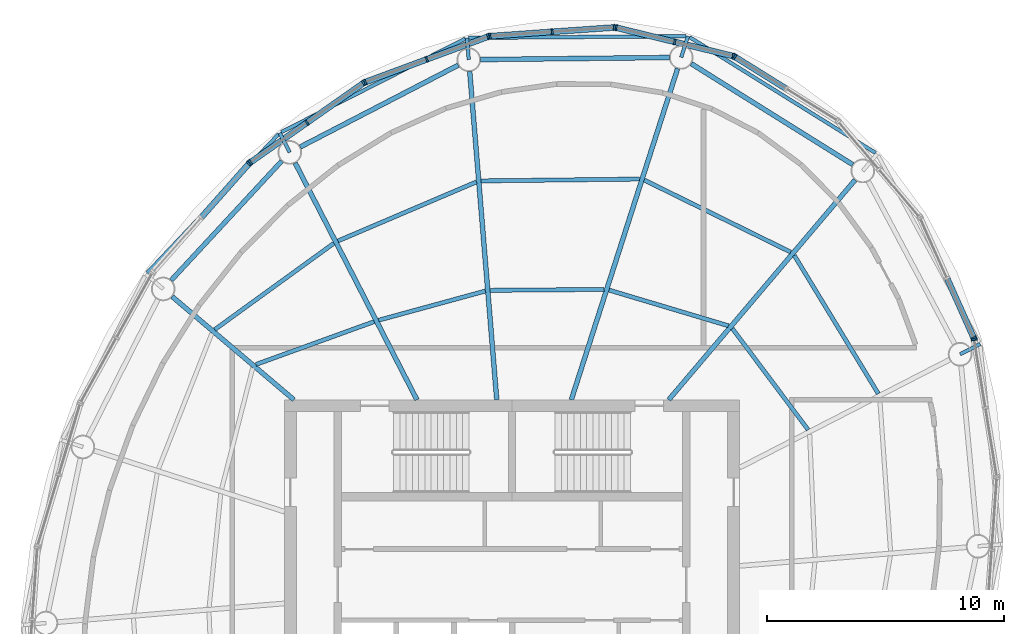
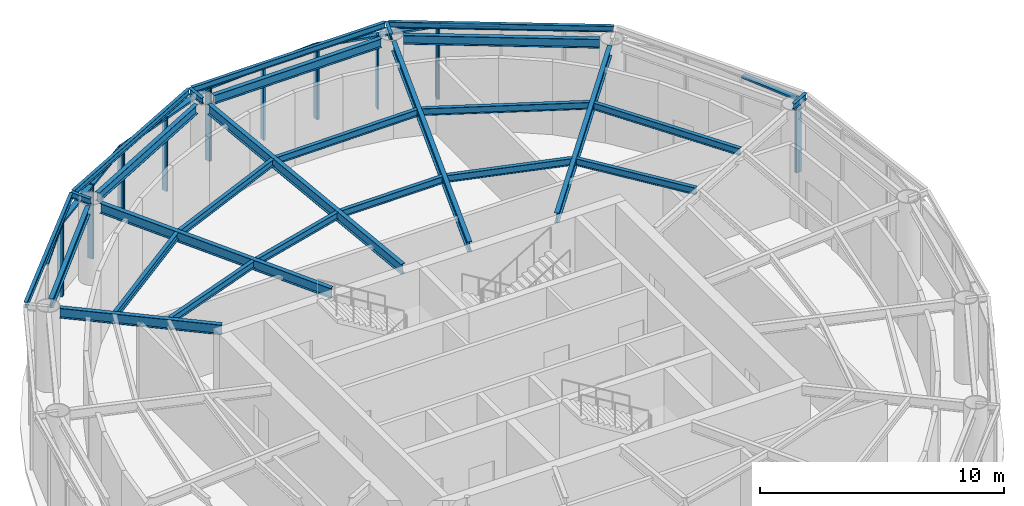
# One storey, part 5 of 11: 27 beams, 27 members, 8 elements without a shape of their own.
"""IFC4 building model written with IfcOpenShell, lengths in metres."""

from ifc_helpers import new_model, si_unit, direction, frame, origin, origin_2d, place, context, subcontext, project, spatial, rectangle, i_section, extrude, material, material_profile, profile_set, type_object, element, aggregate, save


model = new_model("IFC4")

# Units and contexts
model_context = context("Model", 3, precision=1e-05, world=origin(), true_north=direction((0.0, 1.0)))
body_context = subcontext(model_context, "Body", "Model", "MODEL_VIEW")
ifc_project = project(units=[si_unit("LENGTHUNIT", "METRE"), si_unit("AREAUNIT", "SQUARE_METRE"), si_unit("VOLUMEUNIT", "CUBIC_METRE"), si_unit("PLANEANGLEUNIT", "RADIAN"), si_unit("MASSUNIT", "GRAM", prefix="KILO")], contexts=[model_context])

# Site, building, storey
site_placement = place(None, origin())
site = spatial("IfcSite", under=ifc_project, at=site_placement, CompositionType="ELEMENT")
building_placement = place(site_placement, origin())
building = spatial("IfcBuilding", under=site, at=building_placement, Name="Vermilion Reach Broadcast Tower", CompositionType="ELEMENT")
storey_placement = place(building_placement, frame((0.0, 0.0, 317.10009765625)))
storey = spatial("IfcBuildingStorey", under=building, at=storey_placement, Name="L79 CROWN", CompositionType="ELEMENT", Elevation=317.10009765625)

# Curtain wall, members
ifc_material_1 = material(Name="Low-e laminated clear glass in aluminium frame", Category="aluminium")
curtain_wall_type = type_object("IfcCurtainWallType", Name="Crown glazing curtain wall", PredefinedType="NOTDEFINED", material=ifc_material_1)
placement = place(storey_placement, origin())
curtain_wall_1 = element("IfcCurtainWall", 1, at=placement, inside=storey, type_object=curtain_wall_type, Name="Crown glazing L79 CROWN 01", PredefinedType="NOTDEFINED")
ifc_material_2 = material(Name="Anodised aluminium", Category="aluminium")
ifc_material_profile_1 = material_profile(ifc_material_2, rectangle(XDim=0.25, YDim=0.080078125, at=origin_2d()), Name="Crown glazing mullion 80 x 250")
ifc_profile_set_1 = profile_set([ifc_material_profile_1], Name="Anodised aluminium")
member_type_1 = type_object("IfcMemberType", Name="Crown glazing mullion 80 x 250", PredefinedType="MULLION", material=ifc_profile_set_1)
member_1_placement = place(storey_placement, frame((3.331298828125, 22.300048828125, 0.0), z_axis=(0.0, 0.0, 1.0), x_axis=(-0.236354420386, -0.971666912045, 0.0)))
member_1 = element("IfcMember", 2, at=member_1_placement, type_object=member_type_1, Name="Crown glazing mullion L79 CROWN 01.1", PredefinedType="MULLION", context=body_context, shape_type="SweptSolid", body=[
    extrude(rectangle(XDim=0.25, YDim=0.080078125, at=origin_2d()), origin(), (0.0, 0.0, 1.0), 3.699951171875),
])
member_2_placement = place(storey_placement, frame((0.861328125, 22.90087890625, 0.0), z_axis=(0.0, 0.0, 1.0), x_axis=(-0.236354420386, -0.971666912045, 0.0)))
member_2 = element("IfcMember", 3, at=member_2_placement, type_object=member_type_1, Name="Crown glazing mullion L79 CROWN 01.2", PredefinedType="MULLION", context=body_context, shape_type="SweptSolid", body=[
    extrude(rectangle(XDim=0.25, YDim=0.080078125, at=origin_2d()), origin(), (0.0, 0.0, 1.0), 3.699951171875),
])
member_3_placement = place(storey_placement, frame((-1.60888671875, 23.501708984375, 0.0), z_axis=(0.0, 0.0, 1.0), x_axis=(-0.236354420386, -0.971666912045, 0.0)))
member_3 = element("IfcMember", 4, at=member_3_placement, type_object=member_type_1, Name="Crown glazing mullion L79 CROWN 01.3", PredefinedType="MULLION", context=body_context, shape_type="SweptSolid", body=[
    extrude(rectangle(XDim=0.25, YDim=0.080078125, at=origin_2d()), origin(), (0.0, 0.0, 1.0), 3.699951171875),
])

curtain_wall_2 = element("IfcCurtainWall", 5, at=placement, inside=storey, type_object=curtain_wall_type, Name="Crown glazing L79 CROWN 02", PredefinedType="NOTDEFINED")
member_4_placement = place(storey_placement, frame((-1.6875, 23.50830078125, 0.0), z_axis=(0.0, 0.0, 1.0), x_axis=(0.070082236977, -0.997541217224, 0.0)))
member_4 = element("IfcMember", 6, at=member_4_placement, type_object=member_type_1, Name="Crown glazing mullion L79 CROWN 02.1", PredefinedType="MULLION", context=body_context, shape_type="SweptSolid", body=[
    extrude(rectangle(XDim=0.25, YDim=0.080078125, at=origin_2d()), origin(), (0.0, 0.0, 1.0), 3.699951171875),
])
member_5_placement = place(storey_placement, frame((-4.30712890625, 23.324462890625, 0.0), z_axis=(0.0, 0.0, 1.0), x_axis=(0.070082236977, -0.997541217224, 0.0)))
member_5 = element("IfcMember", 7, at=member_5_placement, type_object=member_type_1, Name="Crown glazing mullion L79 CROWN 02.2", PredefinedType="MULLION", context=body_context, shape_type="SweptSolid", body=[
    extrude(rectangle(XDim=0.25, YDim=0.080078125, at=origin_2d()), origin(), (0.0, 0.0, 1.0), 3.699951171875),
])
member_6_placement = place(storey_placement, frame((-6.9267578125, 23.140380859375, 0.0), z_axis=(0.0, 0.0, 1.0), x_axis=(0.070082236977, -0.997541217224, 0.0)))
member_6 = element("IfcMember", 8, at=member_6_placement, type_object=member_type_1, Name="Crown glazing mullion L79 CROWN 02.3", PredefinedType="MULLION", context=body_context, shape_type="SweptSolid", body=[
    extrude(rectangle(XDim=0.25, YDim=0.080078125, at=origin_2d()), origin(), (0.0, 0.0, 1.0), 3.699951171875),
])

curtain_wall_3 = element("IfcCurtainWall", 9, at=placement, inside=storey, type_object=curtain_wall_type, Name="Crown glazing L79 CROWN 03", PredefinedType="NOTDEFINED")
member_7_placement = place(storey_placement, frame((-7.004150390625, 23.12353515625, 0.0), z_axis=(0.0, 0.0, 1.0), x_axis=(0.347291008771, -0.93775740745, 0.0)))
member_7 = element("IfcMember", 10, at=member_7_placement, type_object=member_type_1, Name="Crown glazing mullion L79 CROWN 03.1", PredefinedType="MULLION", context=body_context, shape_type="SweptSolid", body=[
    extrude(rectangle(XDim=0.25, YDim=0.080078125, at=origin_2d()), origin(), (0.0, 0.0, 1.0), 3.699951171875),
])
member_8_placement = place(storey_placement, frame((-9.597412109375, 22.163330078125, 0.0), z_axis=(0.0, 0.0, 1.0), x_axis=(0.347291008771, -0.93775740745, 0.0)))
member_8 = element("IfcMember", 11, at=member_8_placement, type_object=member_type_1, Name="Crown glazing mullion L79 CROWN 03.2", PredefinedType="MULLION", context=body_context, shape_type="SweptSolid", body=[
    extrude(rectangle(XDim=0.25, YDim=0.080078125, at=origin_2d()), origin(), (0.0, 0.0, 1.0), 3.699951171875),
])
member_9_placement = place(storey_placement, frame((-12.190673828125, 21.202880859375, 0.0), z_axis=(0.0, 0.0, 1.0), x_axis=(0.347291008771, -0.93775740745, 0.0)))
member_9 = element("IfcMember", 12, at=member_9_placement, type_object=member_type_1, Name="Crown glazing mullion L79 CROWN 03.3", PredefinedType="MULLION", context=body_context, shape_type="SweptSolid", body=[
    extrude(rectangle(XDim=0.25, YDim=0.080078125, at=origin_2d()), origin(), (0.0, 0.0, 1.0), 3.699951171875),
])

curtain_wall_4 = element("IfcCurtainWall", 13, at=placement, inside=storey, type_object=curtain_wall_type, Name="Crown glazing L79 CROWN 04", PredefinedType="NOTDEFINED")
member_10_placement = place(storey_placement, frame((-12.2607421875, 21.166015625, 0.0), z_axis=(0.0, 0.0, 1.0), x_axis=(0.574163969023, -0.818740335317, 0.0)))
member_10 = element("IfcMember", 14, at=member_10_placement, type_object=member_type_1, Name="Crown glazing mullion L79 CROWN 04.1", PredefinedType="MULLION", context=body_context, shape_type="SweptSolid", body=[
    extrude(rectangle(XDim=0.25, YDim=0.080078125, at=origin_2d()), origin(), (0.0, 0.0, 1.0), 3.699951171875),
])
member_11_placement = place(storey_placement, frame((-14.64990234375, 19.49072265625, 0.0), z_axis=(0.0, 0.0, 1.0), x_axis=(0.574163969023, -0.818740335317, 0.0)))
member_11 = element("IfcMember", 15, at=member_11_placement, type_object=member_type_1, Name="Crown glazing mullion L79 CROWN 04.2", PredefinedType="MULLION", context=body_context, shape_type="SweptSolid", body=[
    extrude(rectangle(XDim=0.25, YDim=0.080078125, at=origin_2d()), origin(), (0.0, 0.0, 1.0), 3.699951171875),
])
member_12_placement = place(storey_placement, frame((-17.038818359375, 17.8154296875, 0.0), z_axis=(0.0, 0.0, 1.0), x_axis=(0.574163969023, -0.818740335317, 0.0)))
member_12 = element("IfcMember", 16, at=member_12_placement, type_object=member_type_1, Name="Crown glazing mullion L79 CROWN 04.3", PredefinedType="MULLION", context=body_context, shape_type="SweptSolid", body=[
    extrude(rectangle(XDim=0.25, YDim=0.080078125, at=origin_2d()), origin(), (0.0, 0.0, 1.0), 3.699951171875),
])

# Curtain wall, member
curtain_wall_5 = element("IfcCurtainWall", 17, at=placement, inside=storey, type_object=curtain_wall_type, Name="Crown glazing L79 CROWN 05", PredefinedType="NOTDEFINED")
member_13_placement = place(storey_placement, frame((-17.09814453125, 17.762451171875, 0.0), z_axis=(0.0, 0.0, 1.0), x_axis=(0.748407682668, -0.663238976934, 0.0)))
member_13 = element("IfcMember", 18, at=member_13_placement, type_object=member_type_1, Name="Crown glazing mullion L79 CROWN 05.1", PredefinedType="MULLION", context=body_context, shape_type="SweptSolid", body=[
    extrude(rectangle(XDim=0.25, YDim=0.080078125, at=origin_2d()), origin(), (0.0, 0.0, 1.0), 3.699951171875),
])

curtain_wall_6 = element("IfcCurtainWall", 19, at=placement, inside=storey, type_object=curtain_wall_type, Name="Crown glazing L79 CROWN 21", PredefinedType="NOTDEFINED")
member_14_placement = place(storey_placement, frame((13.5029296875, 10.3359375, 0.0), z_axis=(0.0, 0.0, 1.0), x_axis=(-0.986689101121, -0.162618011697, 0.0)))
member_14 = element("IfcMember", 20, at=member_14_placement, type_object=member_type_1, Name="Crown glazing mullion L79 CROWN 21.3", PredefinedType="MULLION", context=body_context, shape_type="SweptSolid", body=[
    extrude(rectangle(XDim=0.25, YDim=0.080078125, at=origin_2d()), origin(), (0.0, 0.0, 1.0), 3.699951171875),
])
aggregate(curtain_wall_6, [member_14])

curtain_wall_7 = element("IfcCurtainWall", 21, at=placement, inside=storey, type_object=curtain_wall_type, Name="Crown glazing L79 CROWN 22", PredefinedType="NOTDEFINED")
member_15_placement = place(storey_placement, frame((13.480224609375, 10.411865234375, 0.0), z_axis=(0.0, 0.0, 1.0), x_axis=(-0.912988806241, -0.407984607158, 0.0)))
member_15 = element("IfcMember", 22, at=member_15_placement, type_object=member_type_1, Name="Crown glazing mullion L79 CROWN 22.1", PredefinedType="MULLION", context=body_context, shape_type="SweptSolid", body=[
    extrude(rectangle(XDim=0.25, YDim=0.080078125, at=origin_2d()), origin(), (0.0, 0.0, 1.0), 3.699951171875),
])

curtain_wall_8 = element("IfcCurtainWall", 23, at=placement, inside=storey, type_object=curtain_wall_type, Name="Crown glazing L79 CROWN 24", PredefinedType="NOTDEFINED")
member_16_placement = place(storey_placement, frame((3.404052734375, 22.26953125, 0.0), z_axis=(0.0, 0.0, 1.0), x_axis=(-0.52886102859, -0.848708437827, 0.0)))
member_16 = element("IfcMember", 24, at=member_16_placement, type_object=member_type_1, Name="Crown glazing mullion L79 CROWN 24.3", PredefinedType="MULLION", context=body_context, shape_type="SweptSolid", body=[
    extrude(rectangle(XDim=0.25, YDim=0.080078125, at=origin_2d()), origin(), (0.0, 0.0, 1.0), 3.699951171875),
])

# Member
ifc_material_3 = material(Name="Anodised aluminium", Category="aluminium")
ifc_material_profile_2 = material_profile(ifc_material_3, rectangle(XDim=0.25, YDim=0.10009765625, at=origin_2d()), Name="Crown glazing transom 250 x 100")
ifc_profile_set_2 = profile_set([ifc_material_profile_2], Name="Anodised aluminium")
member_type_2 = type_object("IfcMemberType", Name="Crown glazing transom 250 x 100", PredefinedType="USERDEFINED", material=ifc_profile_set_2)
member_17_placement = place(storey_placement, frame((3.29248046875, 22.3095703125, 3.64990234375), z_axis=(-0.971679911502, 0.236300972457, 0.0), x_axis=(-0.236300972457, -0.971679911502, 0.0)))
member_17 = element("IfcMember", 25, at=member_17_placement, type_object=member_type_2, Name="Crown glazing transom L79 CROWN 01.1.2", ObjectType="TRANSOM", PredefinedType="USERDEFINED", context=body_context, shape_type="SweptSolid", body=[
    extrude(rectangle(XDim=0.25, YDim=0.10009765625, at=origin_2d()), origin(), (0.0, 0.0, 1.0), 2.462158203125),
])

member_18_placement = place(storey_placement, frame((0.822265625, 22.910400390625, 3.64990234375), z_axis=(-0.971674373727, 0.236323742865, 0.0), x_axis=(-0.236323742865, -0.971674373727, 0.0)))
member_18 = element("IfcMember", 26, at=member_18_placement, type_object=member_type_2, Name="Crown glazing transom L79 CROWN 01.2.2", ObjectType="TRANSOM", PredefinedType="USERDEFINED", context=body_context, shape_type="SweptSolid", body=[
    extrude(rectangle(XDim=0.25, YDim=0.10009765625, at=origin_2d()), origin(), (0.0, 0.0, 1.0), 2.4619140625),
])

aggregate(curtain_wall_1, [member_1, member_2, member_3, member_17, member_18])

member_19_placement = place(storey_placement, frame((-1.7275390625, 23.505615234375, 3.64990234375), z_axis=(-0.997539824471, -0.07010205842, 0.0), x_axis=(0.07010205842, -0.997539824471, 0.0)))
member_19 = element("IfcMember", 27, at=member_19_placement, type_object=member_type_2, Name="Crown glazing transom L79 CROWN 02.1.2", ObjectType="TRANSOM", PredefinedType="USERDEFINED", context=body_context, shape_type="SweptSolid", body=[
    extrude(rectangle(XDim=0.25, YDim=0.10009765625, at=origin_2d()), origin(), (0.0, 0.0, 1.0), 2.5458984375),
])

member_20_placement = place(storey_placement, frame((-4.346923828125, 23.321533203125, 3.64990234375), z_axis=(-0.997540295679, -0.070095352893, 0.0), x_axis=(0.070095352893, -0.997540295679, 0.0)))
member_20 = element("IfcMember", 28, at=member_20_placement, type_object=member_type_2, Name="Crown glazing transom L79 CROWN 02.2.2", ObjectType="TRANSOM", PredefinedType="USERDEFINED", context=body_context, shape_type="SweptSolid", body=[
    extrude(rectangle(XDim=0.25, YDim=0.10009765625, at=origin_2d()), origin(), (0.0, 0.0, 1.0), 2.546142578125),
])

aggregate(curtain_wall_2, [member_4, member_5, member_6, member_19, member_20])

member_21_placement = place(storey_placement, frame((-7.04150390625, 23.109619140625, 3.64990234375), z_axis=(-0.937789331633, -0.347204794717, 0.0), x_axis=(0.347204794717, -0.937789331633, 0.0)))
member_21 = element("IfcMember", 29, at=member_21_placement, type_object=member_type_2, Name="Crown glazing transom L79 CROWN 03.1.2", ObjectType="TRANSOM", PredefinedType="USERDEFINED", context=body_context, shape_type="SweptSolid", body=[
    extrude(rectangle(XDim=0.25, YDim=0.10009765625, at=origin_2d()), origin(), (0.0, 0.0, 1.0), 2.685302734375),
])

member_22_placement = place(storey_placement, frame((-9.634765625, 22.1494140625, 3.64990234375), z_axis=(-0.93775972675, -0.347284746116, 0.0), x_axis=(0.347284746116, -0.93775972675, 0.0)))
member_22 = element("IfcMember", 30, at=member_22_placement, type_object=member_type_2, Name="Crown glazing transom L79 CROWN 03.2.2", ObjectType="TRANSOM", PredefinedType="USERDEFINED", context=body_context, shape_type="SweptSolid", body=[
    extrude(rectangle(XDim=0.25, YDim=0.10009765625, at=origin_2d()), origin(), (0.0, 0.0, 1.0), 2.685546875),
])

aggregate(curtain_wall_3, [member_7, member_8, member_9, member_21, member_22])

member_23_placement = place(storey_placement, frame((-12.293701171875, 21.14306640625, 3.64990234375), z_axis=(-0.818742582552, -0.574160764522, 0.0), x_axis=(0.574160764522, -0.818742582552, 0.0)))
member_23 = element("IfcMember", 31, at=member_23_placement, type_object=member_type_2, Name="Crown glazing transom L79 CROWN 04.1.2", ObjectType="TRANSOM", PredefinedType="USERDEFINED", context=body_context, shape_type="SweptSolid", body=[
    extrude(rectangle(XDim=0.25, YDim=0.10009765625, at=origin_2d()), origin(), (0.0, 0.0, 1.0), 2.837890625),
])

member_24_placement = place(storey_placement, frame((-14.6826171875, 19.4677734375, 3.64990234375), z_axis=(-0.818742582552, -0.574160764522, 0.0), x_axis=(0.574160764522, -0.818742582552, 0.0)))
member_24 = element("IfcMember", 32, at=member_24_placement, type_object=member_type_2, Name="Crown glazing transom L79 CROWN 04.2.2", ObjectType="TRANSOM", PredefinedType="USERDEFINED", context=body_context, shape_type="SweptSolid", body=[
    extrude(rectangle(XDim=0.25, YDim=0.10009765625, at=origin_2d()), origin(), (0.0, 0.0, 1.0), 2.837890625),
])

aggregate(curtain_wall_4, [member_10, member_11, member_12, member_23, member_24])

member_25_placement = place(storey_placement, frame((-17.12451171875, 17.732421875, 3.64990234375), z_axis=(-0.663279205809, -0.748372029903, 0.0), x_axis=(0.748372029903, -0.663279205809, 0.0)))
member_25 = element("IfcMember", 33, at=member_25_placement, type_object=member_type_2, Name="Crown glazing transom L79 CROWN 05.1.2", ObjectType="TRANSOM", PredefinedType="USERDEFINED", context=body_context, shape_type="SweptSolid", body=[
    extrude(rectangle(XDim=0.25, YDim=0.10009765625, at=origin_2d()), origin(), (0.0, 0.0, 1.0), 2.9638671875),
])

aggregate(curtain_wall_5, [member_13, member_25])

member_26_placement = place(storey_placement, frame((13.4638671875, 10.4482421875, 3.64990234375), z_axis=(-0.407993268167, 0.912984935873, 0.0), x_axis=(-0.912984935873, -0.407993268167, 0.0)))
member_26 = element("IfcMember", 34, at=member_26_placement, type_object=member_type_2, Name="Crown glazing transom L79 CROWN 22.1.2", ObjectType="TRANSOM", PredefinedType="USERDEFINED", context=body_context, shape_type="SweptSolid", body=[
    extrude(rectangle(XDim=0.25, YDim=0.10009765625, at=origin_2d()), origin(), (0.0, 0.0, 1.0), 2.685546875),
])

aggregate(curtain_wall_7, [member_15, member_26])

member_27_placement = place(storey_placement, frame((5.527587890625, 20.9462890625, 3.64990234375), z_axis=(-0.848727287614, 0.528830777526, 0.0), x_axis=(-0.528830777526, -0.848727287614, 0.0)))
member_27 = element("IfcMember", 35, at=member_27_placement, type_object=member_type_2, Name="Crown glazing transom L79 CROWN 24.2.2", ObjectType="TRANSOM", PredefinedType="USERDEFINED", context=body_context, shape_type="SweptSolid", body=[
    extrude(rectangle(XDim=0.25, YDim=0.10009765625, at=origin_2d()), origin(), (0.0, 0.0, 1.0), 2.462158203125),
])

aggregate(curtain_wall_8, [member_16, member_27])

# Beams
ifc_material_4 = material(Name="Steel S355J2", Category="steel")
ifc_material_profile_3 = material_profile(ifc_material_4, i_section(OverallWidth=0.14990234375, OverallDepth=0.300048828125, WebThickness=0.006591796875, FlangeThickness=0.009033203125, at=origin_2d()), Name="S355J2 HN 300x150x6.5x9")
ifc_profile_set_3 = profile_set([ifc_material_profile_3], Name="Steel S355J2")
beam_type_1 = type_object("IfcBeamType", Name="EB5 HN 300x150x6.5x9", PredefinedType="BEAM", material=ifc_profile_set_3)
beam_1_placement = place(storey_placement, frame((1.346435546875, 23.140380859375, 3.849853515625), z_axis=(-0.999971629622, -0.007532592595, 0.0), x_axis=(0.007532592595, -0.999971629622, 0.0)))
element("IfcBeam", 36, at=beam_1_placement, inside=storey, type_object=beam_type_1, Name="Edge beam EB5-01", PredefinedType="BEAM", context=body_context, shape_type="SweptSolid", body=[
    extrude(i_section(OverallWidth=0.14990234375, OverallDepth=0.300048828125, WebThickness=0.006591796875, FlangeThickness=0.009033203125, at=origin_2d()), origin(), (0.0, 0.0, 1.0), 9.17236328125),
])
beam_2_placement = place(storey_placement, frame((-7.97314453125, 23.033935546875, 3.849853515625), z_axis=(-0.891604217889, -0.452815545936, 0.0), x_axis=(0.452815545936, -0.891604217889, 0.0)))
element("IfcBeam", 37, at=beam_2_placement, inside=storey, type_object=beam_type_1, Name="Edge beam EB5-02", PredefinedType="BEAM", context=body_context, shape_type="SweptSolid", body=[
    extrude(i_section(OverallWidth=0.14990234375, OverallDepth=0.300048828125, WebThickness=0.006591796875, FlangeThickness=0.009033203125, at=origin_2d()), origin(), (0.0, 0.0, 1.0), 8.70263671875),
])
beam_3_placement = place(storey_placement, frame((-15.85400390625, 19.001708984375, 3.849853515625), z_axis=(-0.687701793008, -0.725993280888, 0.0), x_axis=(0.725993280888, -0.687701793008, 0.0)))
element("IfcBeam", 38, at=beam_3_placement, inside=storey, type_object=beam_type_1, Name="Edge beam EB5-03", PredefinedType="BEAM", context=body_context, shape_type="SweptSolid", body=[
    extrude(i_section(OverallWidth=0.14990234375, OverallDepth=0.300048828125, WebThickness=0.006591796875, FlangeThickness=0.009033203125, at=origin_2d()), origin(), (0.0, 0.0, 1.0), 8.05908203125),
])
beam_4_placement = place(storey_placement, frame((9.341552734375, 18.212646484375, 3.849853515625), z_axis=(-0.848928421209, 0.528507838791, 0.0), x_axis=(-0.528507838791, -0.848928421209, 0.0)))
element("IfcBeam", 39, at=beam_4_placement, inside=storey, type_object=beam_type_1, Name="Edge beam EB5-16", PredefinedType="BEAM", context=body_context, shape_type="SweptSolid", body=[
    extrude(i_section(OverallWidth=0.14990234375, OverallDepth=0.300048828125, WebThickness=0.006591796875, FlangeThickness=0.009033203125, at=origin_2d()), origin(), (0.0, 0.0, 1.0), 9.24755859375),
])
ifc_material_5 = material(Name="Steel S355J2", Category="steel")
ifc_material_profile_4 = material_profile(ifc_material_5, i_section(OverallWidth=0.199951171875, OverallDepth=0.5, WebThickness=0.010009765625, FlangeThickness=0.01611328125, at=origin_2d()), Name="S355J2 HN 500x200x10x16")
ifc_profile_set_4 = profile_set([ifc_material_profile_4], Name="Steel S355J2")
beam_type_2 = type_object("IfcBeamType", Name="G5 HN 500x200x10x16", PredefinedType="BEAM", material=ifc_profile_set_4)
beam_5_placement = place(storey_placement, frame((-3.497314453125, 7.800048828125, 3.75), z_axis=(0.305545401295, 0.952177508528, 0.0), x_axis=(-0.952177508528, 0.305545401295, 0.0)))
element("IfcBeam", 40, at=beam_5_placement, inside=storey, type_object=beam_type_2, Name="Girder G5-01", PredefinedType="BEAM", context=body_context, shape_type="SweptSolid", body=[
    extrude(i_section(OverallWidth=0.199951171875, OverallDepth=0.5, WebThickness=0.010009765625, FlangeThickness=0.01611328125, at=origin_2d()), origin(), (0.0, 0.0, 1.0), 14.672607421875),
])
beam_6_placement = place(storey_placement, frame((-6.642578125, 7.800048828125, 3.75), z_axis=(-0.082123744247, 0.996622140347, 0.0), x_axis=(-0.996622140347, -0.082123744247, 0.0)))
element("IfcBeam", 41, at=beam_6_placement, inside=storey, type_object=beam_type_2, Name="Girder G5-02", PredefinedType="BEAM", context=body_context, shape_type="SweptSolid", body=[
    extrude(i_section(OverallWidth=0.199951171875, OverallDepth=0.5, WebThickness=0.010009765625, FlangeThickness=0.01611328125, at=origin_2d()), origin(), (0.0, 0.0, 1.0), 13.89794921875),
])
beam_7_placement = place(storey_placement, frame((-10.010498046875, 7.800048828125, 3.75), z_axis=(-0.457258168112, 0.889334002327, 0.0), x_axis=(-0.889334002327, -0.457258168112, 0.0)))
element("IfcBeam", 42, at=beam_7_placement, inside=storey, type_object=beam_type_2, Name="Girder G5-03", PredefinedType="BEAM", context=body_context, shape_type="SweptSolid", body=[
    extrude(i_section(OverallWidth=0.199951171875, OverallDepth=0.5, WebThickness=0.010009765625, FlangeThickness=0.01611328125, at=origin_2d()), origin(), (0.0, 0.0, 1.0), 11.236328125),
])
beam_8_placement = place(storey_placement, frame((-15.20068359375, 7.800048828125, 3.75), z_axis=(-0.762793125612, 0.646642596431, 0.0), x_axis=(-0.646642596431, -0.762793125612, 0.0)))
element("IfcBeam", 43, at=beam_8_placement, inside=storey, type_object=beam_type_2, Name="Girder G5-04", PredefinedType="BEAM", context=body_context, shape_type="SweptSolid", body=[
    extrude(i_section(OverallWidth=0.199951171875, OverallDepth=0.5, WebThickness=0.010009765625, FlangeThickness=0.01611328125, at=origin_2d()), origin(), (0.0, 0.0, 1.0), 6.732421875),
])
beam_9_placement = place(storey_placement, frame((0.612548828125, 7.800048828125, 3.75), z_axis=(0.646658335602, 0.762779782766, 0.0), x_axis=(-0.762779782766, 0.646658335602, 0.0)))
element("IfcBeam", 44, at=beam_9_placement, inside=storey, type_object=beam_type_2, Name="Girder G5-16", PredefinedType="BEAM", context=body_context, shape_type="SweptSolid", body=[
    extrude(i_section(OverallWidth=0.199951171875, OverallDepth=0.5, WebThickness=0.010009765625, FlangeThickness=0.01611328125, at=origin_2d()), origin(), (0.0, 0.0, 1.0), 12.16064453125),
])
ifc_material_6 = material(Name="Steel S355J2", Category="steel")
ifc_material_profile_5 = material_profile(ifc_material_6, i_section(OverallWidth=0.14990234375, OverallDepth=0.300048828125, WebThickness=0.006591796875, FlangeThickness=0.009033203125, at=origin_2d()), Name="S355J2 HN 300x150x6.5x9")
ifc_profile_set_5 = profile_set([ifc_material_profile_5], Name="Steel S355J2")
beam_type_3 = type_object("IfcBeamType", Name="GS5 HN 300x150x6.5x9", PredefinedType="BEAM", material=ifc_profile_set_5)
beam_10_placement = place(storey_placement, frame((1.138427734375, 22.2470703125, 3.849853515625), z_axis=(0.305596628184, 0.95216106875, 0.0), x_axis=(-0.95216106875, 0.305596628184, 0.0)))
element("IfcBeam", 45, at=beam_10_placement, inside=storey, type_object=beam_type_3, Name="Cantilever stub GS5-01", PredefinedType="BEAM", context=body_context, shape_type="SweptSolid", body=[
    extrude(i_section(OverallWidth=0.14990234375, OverallDepth=0.300048828125, WebThickness=0.006591796875, FlangeThickness=0.009033203125, at=origin_2d()), origin(), (0.0, 0.0, 1.0), 0.938720703125),
])
beam_11_placement = place(storey_placement, frame((-7.824951171875, 22.1494140625, 3.849853515625), z_axis=(-0.082149174093, 0.996620044548, 0.0), x_axis=(-0.996620044548, -0.082149174093, 0.0)))
element("IfcBeam", 46, at=beam_11_placement, inside=storey, type_object=beam_type_3, Name="Cantilever stub GS5-02", PredefinedType="BEAM", context=body_context, shape_type="SweptSolid", body=[
    extrude(i_section(OverallWidth=0.14990234375, OverallDepth=0.300048828125, WebThickness=0.006591796875, FlangeThickness=0.009033203125, at=origin_2d()), origin(), (0.0, 0.0, 1.0), 0.92431640625),
])
beam_12_placement = place(storey_placement, frame((-15.376953125, 18.23779296875, 3.849853515625), z_axis=(-0.457228572872, 0.889349218333, 0.0), x_axis=(-0.889349218333, -0.457228572872, 0.0)))
element("IfcBeam", 47, at=beam_12_placement, inside=storey, type_object=beam_type_3, Name="Cantilever stub GS5-03", PredefinedType="BEAM", context=body_context, shape_type="SweptSolid", body=[
    extrude(i_section(OverallWidth=0.14990234375, OverallDepth=0.300048828125, WebThickness=0.006591796875, FlangeThickness=0.009033203125, at=origin_2d()), origin(), (0.0, 0.0, 1.0), 0.923828125),
])
beam_13_placement = place(storey_placement, frame((12.905517578125, 9.72021484375, 3.849853515625), z_axis=(0.88934146644, 0.457243650662, 0.0), x_axis=(-0.457243650662, 0.88934146644, 0.0)))
element("IfcBeam", 48, at=beam_13_placement, inside=storey, type_object=beam_type_3, Name="Cantilever stub GS5-15", PredefinedType="BEAM", context=body_context, shape_type="SweptSolid", body=[
    extrude(i_section(OverallWidth=0.14990234375, OverallDepth=0.300048828125, WebThickness=0.006591796875, FlangeThickness=0.009033203125, at=origin_2d()), origin(), (0.0, 0.0, 1.0), 0.951416015625),
])
ifc_material_7 = material(Name="Steel S355J2", Category="steel")
ifc_material_profile_6 = material_profile(ifc_material_7, i_section(OverallWidth=0.199951171875, OverallDepth=0.449951171875, WebThickness=0.009033203125, FlangeThickness=0.013916015625, at=origin_2d()), Name="S355J2 HN 450x200x9x14")
ifc_profile_set_6 = profile_set([ifc_material_profile_6], Name="Steel S355J2")
beam_type_4 = type_object("IfcBeamType", Name="RB5 HN 450x200x9x14", PredefinedType="BEAM", material=ifc_profile_set_6)
beam_14_placement = place(storey_placement, frame((0.638427734375, 22.24169921875, 3.77490234375), z_axis=(-0.999940445231, -0.010913569149, 0.0), x_axis=(0.010913569149, -0.999940445231, 0.0)))
element("IfcBeam", 49, at=beam_14_placement, inside=storey, type_object=beam_type_4, Name="Ring beam RB5-01", PredefinedType="BEAM", context=body_context, shape_type="SweptSolid", body=[
    extrude(i_section(OverallWidth=0.199951171875, OverallDepth=0.449951171875, WebThickness=0.009033203125, FlangeThickness=0.013916015625, at=origin_2d()), origin(), (0.0, 0.0, 1.0), 7.9638671875),
])
beam_15_placement = place(storey_placement, frame((-8.268798828125, 21.91943359375, 3.77490234375), z_axis=(-0.887960248279, -0.459920207729, 0.0), x_axis=(0.459920207729, -0.887960248279, 0.0)))
element("IfcBeam", 50, at=beam_15_placement, inside=storey, type_object=beam_type_4, Name="Ring beam RB5-02", PredefinedType="BEAM", context=body_context, shape_type="SweptSolid", body=[
    extrude(i_section(OverallWidth=0.199951171875, OverallDepth=0.449951171875, WebThickness=0.009033203125, FlangeThickness=0.013916015625, at=origin_2d()), origin(), (0.0, 0.0, 1.0), 7.5048828125),
])
beam_16_placement = place(storey_placement, frame((-15.716796875, 17.87109375, 3.77490234375), z_axis=(-0.679837550075, -0.733362738014, 0.0), x_axis=(0.733362738014, -0.679837550075, 0.0)))
element("IfcBeam", 51, at=beam_16_placement, inside=storey, type_object=beam_type_4, Name="Ring beam RB5-03", PredefinedType="BEAM", context=body_context, shape_type="SweptSolid", body=[
    extrude(i_section(OverallWidth=0.199951171875, OverallDepth=0.449951171875, WebThickness=0.009033203125, FlangeThickness=0.013916015625, at=origin_2d()), origin(), (0.0, 0.0, 1.0), 6.85546875),
])
beam_17_placement = place(storey_placement, frame((8.375732421875, 17.722412109375, 3.77490234375), z_axis=(-0.847914653245, 0.530132757724, 0.0), x_axis=(-0.530132757724, -0.847914653245, 0.0)))
element("IfcBeam", 52, at=beam_17_placement, inside=storey, type_object=beam_type_4, Name="Ring beam RB5-16", PredefinedType="BEAM", context=body_context, shape_type="SweptSolid", body=[
    extrude(i_section(OverallWidth=0.199951171875, OverallDepth=0.449951171875, WebThickness=0.009033203125, FlangeThickness=0.013916015625, at=origin_2d()), origin(), (0.0, 0.0, 1.0), 8.035400390625),
])
ifc_material_8 = material(Name="Steel S355J2", Category="steel")
ifc_material_profile_7 = material_profile(ifc_material_8, i_section(OverallWidth=0.175048828125, OverallDepth=0.35009765625, WebThickness=0.007080078125, FlangeThickness=0.010986328125, at=origin_2d()), Name="S355J2 HN 350x175x7x11")
ifc_profile_set_7 = profile_set([ifc_material_profile_7], Name="Steel S355J2")
beam_type_5 = type_object("IfcBeamType", Name="SB5 HN 350x175x7x11", PredefinedType="BEAM", material=ifc_profile_set_7)
beam_18_placement = place(storey_placement, frame((-2.108154296875, 12.4560546875, 3.824951171875), z_axis=(-0.999968312294, -0.007960804474, 0.0), x_axis=(0.007960804474, -0.999968312294, 0.0)))
element("IfcBeam", 53, at=beam_18_placement, inside=storey, type_object=beam_type_5, Name="Secondary beam SB5-01-1", PredefinedType="BEAM", context=body_context, shape_type="SweptSolid", body=[
    extrude(i_section(OverallWidth=0.175048828125, OverallDepth=0.35009765625, WebThickness=0.007080078125, FlangeThickness=0.010986328125, at=origin_2d()), origin(), (0.0, 0.0, 1.0), 4.81494140625),
])
beam_19_placement = place(storey_placement, frame((-0.614013671875, 17.11279296875, 3.824951171875), z_axis=(-0.999932654133, -0.011605481368, 0.0), x_axis=(0.011605481368, -0.999932654133, 0.0)))
element("IfcBeam", 54, at=beam_19_placement, inside=storey, type_object=beam_type_5, Name="Secondary beam SB5-01-2", PredefinedType="BEAM", context=body_context, shape_type="SweptSolid", body=[
    extrude(i_section(OverallWidth=0.175048828125, OverallDepth=0.35009765625, WebThickness=0.007080078125, FlangeThickness=0.010986328125, at=origin_2d()), origin(), (0.0, 0.0, 1.0), 6.689697265625),
])
beam_20_placement = place(storey_placement, frame((-7.12109375, 12.39013671875, 3.824951171875), z_axis=(-0.964547496851, -0.263909314573, 0.0), x_axis=(0.263909314573, -0.964547496851, 0.0)))
element("IfcBeam", 55, at=beam_20_placement, inside=storey, type_object=beam_type_5, Name="Secondary beam SB5-02-1", PredefinedType="BEAM", context=body_context, shape_type="SweptSolid", body=[
    extrude(i_section(OverallWidth=0.175048828125, OverallDepth=0.35009765625, WebThickness=0.007080078125, FlangeThickness=0.010986328125, at=origin_2d()), origin(), (0.0, 0.0, 1.0), 4.6689453125),
])
beam_21_placement = place(storey_placement, frame((-7.50048828125, 16.99267578125, 3.824951171875), z_axis=(-0.919880986172, -0.392197617637, 0.0), x_axis=(0.392197617637, -0.919880986172, 0.0)))
element("IfcBeam", 56, at=beam_21_placement, inside=storey, type_object=beam_type_5, Name="Secondary beam SB5-02-2", PredefinedType="BEAM", context=body_context, shape_type="SweptSolid", body=[
    extrude(i_section(OverallWidth=0.175048828125, OverallDepth=0.35009765625, WebThickness=0.007080078125, FlangeThickness=0.010986328125, at=origin_2d()), origin(), (0.0, 0.0, 1.0), 6.351806640625),
])
beam_22_placement = place(storey_placement, frame((-11.81787109375, 11.0966796875, 3.824951171875), z_axis=(-0.940220108875, -0.340567389613, 0.0), x_axis=(0.340567389613, -0.940220108875, 0.0)))
element("IfcBeam", 57, at=beam_22_placement, inside=storey, type_object=beam_type_5, Name="Secondary beam SB5-03-1", PredefinedType="BEAM", context=body_context, shape_type="SweptSolid", body=[
    extrude(i_section(OverallWidth=0.175048828125, OverallDepth=0.35009765625, WebThickness=0.007080078125, FlangeThickness=0.010986328125, at=origin_2d()), origin(), (0.0, 0.0, 1.0), 5.303466796875),
])
beam_23_placement = place(storey_placement, frame((-13.517578125, 14.402587890625, 3.824951171875), z_axis=(-0.809771251518, -0.586745703192, 0.0), x_axis=(0.586745703192, -0.809771251518, 0.0)))
element("IfcBeam", 58, at=beam_23_placement, inside=storey, type_object=beam_type_5, Name="Secondary beam SB5-03-2", PredefinedType="BEAM", context=body_context, shape_type="SweptSolid", body=[
    extrude(i_section(OverallWidth=0.175048828125, OverallDepth=0.35009765625, WebThickness=0.007080078125, FlangeThickness=0.010986328125, at=origin_2d()), origin(), (0.0, 0.0, 1.0), 6.20361328125),
])
beam_24_placement = place(storey_placement, frame((6.492919921875, 6.53564453125, 3.824951171875), z_axis=(-0.599055582645, 0.800707442767, 0.0), x_axis=(-0.800707442767, -0.599055582645, 0.0)))
element("IfcBeam", 59, at=beam_24_placement, inside=storey, type_object=beam_type_5, Name="Secondary beam SB5-15-1", PredefinedType="BEAM", context=body_context, shape_type="SweptSolid", body=[
    extrude(i_section(OverallWidth=0.175048828125, OverallDepth=0.35009765625, WebThickness=0.007080078125, FlangeThickness=0.010986328125, at=origin_2d()), origin(), (0.0, 0.0, 1.0), 5.337890625),
])
beam_25_placement = place(storey_placement, frame((9.455078125, 8.058837890625, 3.824951171875), z_axis=(-0.519272962556, 0.854608442714, 0.0), x_axis=(-0.854608442714, -0.519272962556, 0.0)))
element("IfcBeam", 60, at=beam_25_placement, inside=storey, type_object=beam_type_5, Name="Secondary beam SB5-15-2", PredefinedType="BEAM", context=body_context, shape_type="SweptSolid", body=[
    extrude(i_section(OverallWidth=0.175048828125, OverallDepth=0.35009765625, WebThickness=0.007080078125, FlangeThickness=0.010986328125, at=origin_2d()), origin(), (0.0, 0.0, 1.0), 6.82763671875),
])
beam_26_placement = place(storey_placement, frame((3.129150390625, 10.92333984375, 3.824951171875), z_axis=(-0.958124906971, 0.286350593925, 0.0), x_axis=(-0.286350593925, -0.958124906971, 0.0)))
element("IfcBeam", 61, at=beam_26_placement, inside=storey, type_object=beam_type_5, Name="Secondary beam SB5-16-1", PredefinedType="BEAM", context=body_context, shape_type="SweptSolid", body=[
    extrude(i_section(OverallWidth=0.175048828125, OverallDepth=0.35009765625, WebThickness=0.007080078125, FlangeThickness=0.010986328125, at=origin_2d()), origin(), (0.0, 0.0, 1.0), 5.25634765625),
])
beam_27_placement = place(storey_placement, frame((5.762451171875, 14.029541015625, 3.824951171875), z_axis=(-0.897335928087, 0.441348198325, 0.0), x_axis=(-0.441348198325, -0.897335928087, 0.0)))
element("IfcBeam", 62, at=beam_27_placement, inside=storey, type_object=beam_type_5, Name="Secondary beam SB5-16-2", PredefinedType="BEAM", context=body_context, shape_type="SweptSolid", body=[
    extrude(i_section(OverallWidth=0.175048828125, OverallDepth=0.35009765625, WebThickness=0.007080078125, FlangeThickness=0.010986328125, at=origin_2d()), origin(), (0.0, 0.0, 1.0), 6.887451171875),
])

save(model, "model.ifc")
